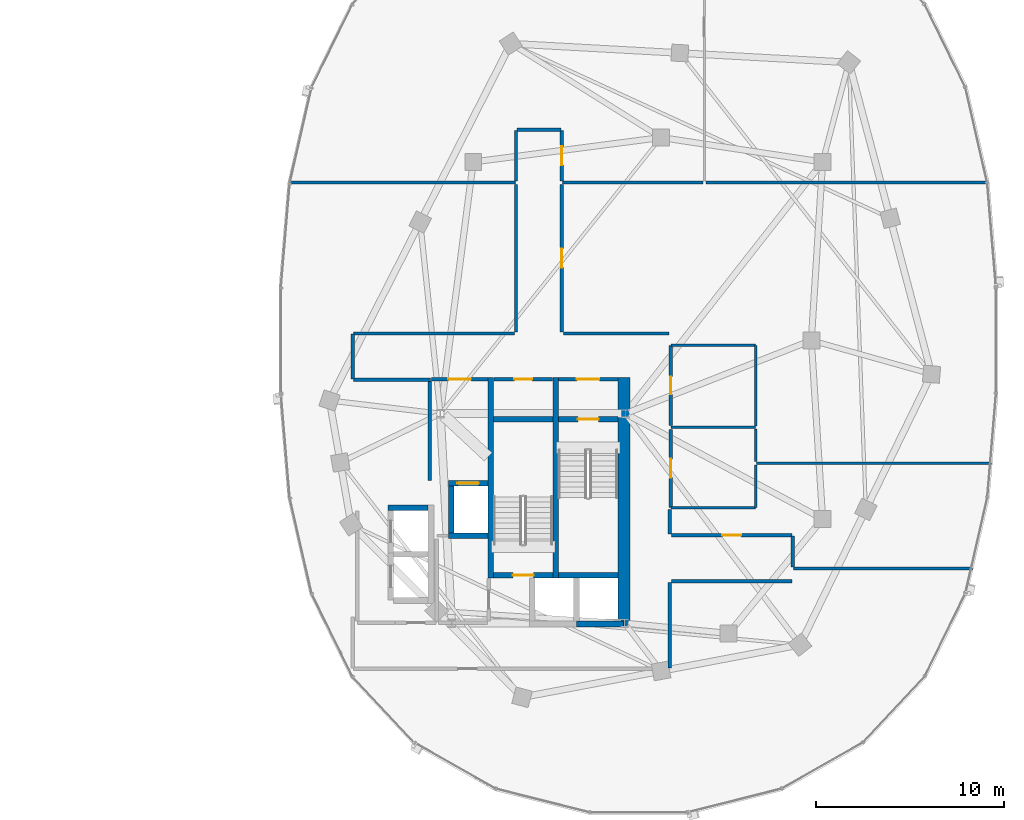
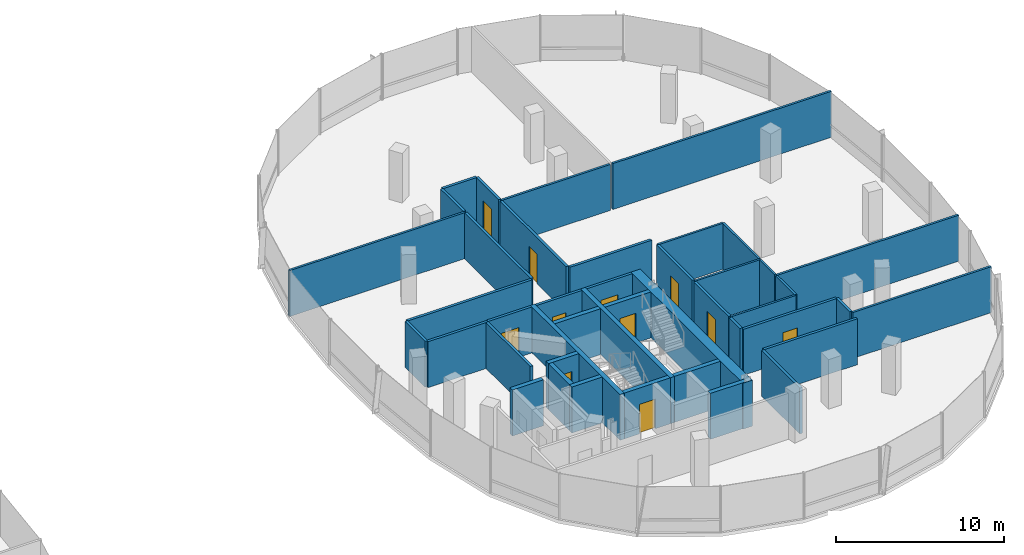
# One storey, part 17 of 25: 43 walls, 11 doors, 11 openings.
"""IFC4 building model written with IfcOpenShell, lengths in metres."""

from ifc_helpers import new_model, si_unit, direction, frame, frame_2d, origin, place, context, subcontext, project, spatial, rectangle, extrude, material, layer, layer_set, type_object, element, fill, save


model = new_model("IFC4")

# Units and contexts
model_context = context("Model", 3, precision=1e-05, world=origin(), true_north=direction((0.0, 1.0)))
body_context = subcontext(model_context, "Body", "Model", "MODEL_VIEW")
ifc_project = project(units=[si_unit("LENGTHUNIT", "METRE"), si_unit("AREAUNIT", "SQUARE_METRE"), si_unit("VOLUMEUNIT", "CUBIC_METRE"), si_unit("PLANEANGLEUNIT", "RADIAN"), si_unit("MASSUNIT", "GRAM", prefix="KILO"), si_unit("THERMODYNAMICTEMPERATUREUNIT", "KELVIN"), si_unit("POWERUNIT", "WATT")], contexts=[model_context])

# Site, building, storey
site_placement = place(None, origin())
site = spatial("IfcSite", under=ifc_project, at=site_placement, CompositionType="ELEMENT")
building_placement = place(site_placement, origin())
building = spatial("IfcBuilding", under=site, at=building_placement, Name="Cundina Bronze Exchange", CompositionType="ELEMENT")
storey_placement = place(building_placement, frame((0.0, 0.0, 206.199951171875)))
storey = spatial("IfcBuildingStorey", under=building, at=storey_placement, Name="L54", CompositionType="ELEMENT", Elevation=206.199951171875)

# Wall
ifc_material_1 = material(Name="Gypsum Fireboard Partition EI120")
ifc_layer_1 = layer(ifc_material_1, 0.179931640625, Name="Gypsum Fireboard Partition EI120")
ifc_layer_set_1 = layer_set([ifc_layer_1], Name="Gypsum Fireboard Partition EI120")
wall_type_1 = type_object("IfcWallType", Name="WL-COR-180", PredefinedType="PARTITIONING", material=ifc_layer_set_1)
wall_1_placement = place(storey_placement, frame((20.889892578125, -7.449951171875, 0.0), z_axis=(0.0, 0.0, 1.0), x_axis=(0.0, 1.0, 0.0)))
element("IfcWall", 1, at=wall_1_placement, inside=storey, type_object=wall_type_1, Name="L54 E Firefighting Lobby Side Wall", PredefinedType="PARTITIONING", context=body_context, shape_type="SweptSolid", body=[
    extrude(rectangle(XDim=5.300048828125, YDim=0.179931640625, at=frame_2d((2.64990234375, 0.0))), origin(), (0.0, 0.0, 1.0), 3.340087890625),
])

# Wall, opening, door
wall_2_placement = place(storey_placement, frame((20.97998046875, -2.06005859375, 0.0), z_axis=(0.0, 0.0, 1.0), x_axis=(1.0, 0.0, 0.0)))
wall_2 = element("IfcWall", 2, at=wall_2_placement, inside=storey, type_object=wall_type_1, Name="L54 E Firefighting Lobby Exit Wall", PredefinedType="PARTITIONING", context=body_context, shape_type="SweptSolid", body=[
    extrude(rectangle(XDim=3.0, YDim=0.179931640625, at=frame_2d((1.5, 0.0))), origin(), (0.0, 0.0, 1.0), 3.340087890625),
])
opening_1_placement = place(wall_2_placement, frame((0.89990234375, 0.0, 0.0)))
opening_1 = element("IfcOpeningElement", 3, at=opening_1_placement, cuts=wall_2, Name="Opening DF-01", PredefinedType="OPENING", context=body_context, shape_type="SweptSolid", body=[
    extrude(rectangle(XDim=1.199951171875, YDim=2.14990234375, at=frame_2d((0.60009765625, 1.074951171875))), frame((0.0, 0.099853515625, 0.0), z_axis=(0.0, -1.0, 0.0), x_axis=(1.0, 0.0, 0.0)), (0.0, 0.0, 1.0), 0.199951171875),
])
ifc_material_2 = material(Name="Steel ASTM A36 Painted", Category="steel")
door_type_1 = type_object("IfcDoorType", Name="DR-FFL-1200", OperationType="NOTDEFINED", PredefinedType="DOOR", material=ifc_material_2)
door_1_placement = place(opening_1_placement, origin())
door_1 = element("IfcDoor", 4, at=door_1_placement, inside=storey, type_object=door_type_1, Name="L54 E Firefighting Lobby Door", OperationType="SINGLE_SWING_LEFT", OverallHeight=2.14990234375, OverallWidth=1.199951171875, PredefinedType="DOOR", context=body_context, shape_type="SweptSolid", body=[
    extrude(rectangle(XDim=1.199951171875, YDim=2.14990234375, at=frame_2d((0.60009765625, 1.074951171875))), frame((0.0, 0.02490234375, 0.0), z_axis=(0.0, -1.0, 0.0), x_axis=(1.0, 0.0, 0.0)), (0.0, 0.0, 1.0), 0.050048828125),
])
fill(opening_1, door_1)

wall_3_placement = place(storey_placement, frame((27.739990234375, -2.06005859375, 0.0), z_axis=(0.0, 0.0, 1.0), x_axis=(1.0, 0.0, 0.0)))
wall_3 = element("IfcWall", 5, at=wall_3_placement, inside=storey, type_object=wall_type_1, Name="L54 E Stair Vestibule Exit Wall", PredefinedType="PARTITIONING", context=body_context, shape_type="SweptSolid", body=[
    extrude(rectangle(XDim=3.159912109375, YDim=0.179931640625, at=frame_2d((1.580078125, 0.0))), origin(), (0.0, 0.0, 1.0), 3.340087890625),
])
opening_2_placement = place(wall_3_placement, frame((0.97998046875, 0.0, 0.0)))
opening_2 = element("IfcOpeningElement", 6, at=opening_2_placement, cuts=wall_3, Name="Opening DF-01", PredefinedType="OPENING", context=body_context, shape_type="SweptSolid", body=[
    extrude(rectangle(XDim=1.199951171875, YDim=2.14990234375, at=frame_2d((0.60009765625, 1.074951171875))), frame((0.0, 0.099853515625, 0.0), z_axis=(0.0, -1.0, 0.0), x_axis=(1.0, 0.0, 0.0)), (0.0, 0.0, 1.0), 0.199951171875),
])
door_2_placement = place(opening_2_placement, origin())
door_2 = element("IfcDoor", 7, at=door_2_placement, inside=storey, type_object=door_type_1, Name="L54 E Stair Vestibule Door", OperationType="SINGLE_SWING_RIGHT", OverallHeight=2.14990234375, OverallWidth=1.199951171875, PredefinedType="DOOR", context=body_context, shape_type="SweptSolid", body=[
    extrude(rectangle(XDim=1.199951171875, YDim=2.14990234375, at=frame_2d((0.60009765625, 1.074951171875))), frame((0.0, 0.02490234375, 0.0), z_axis=(0.0, -1.0, 0.0), x_axis=(1.0, 0.0, 0.0)), (0.0, 0.0, 1.0), 0.050048828125),
])
fill(opening_2, door_2)

wall_4_placement = place(storey_placement, frame((24.300048828125, -2.070068359375, 0.0), z_axis=(0.0, 0.0, 1.0), x_axis=(1.0, 0.0, 0.0)))
wall_4 = element("IfcWall", 8, at=wall_4_placement, inside=storey, type_object=wall_type_1, Name="L54 Interior Partition 049", PredefinedType="PARTITIONING", context=body_context, shape_type="SweptSolid", body=[
    extrude(rectangle(XDim=3.119873046875, YDim=0.179931640625, at=frame_2d((1.56005859375, 0.0))), origin(), (0.0, 0.0, 1.0), 3.340087890625),
])
opening_3_placement = place(wall_4_placement, frame((1.0849609375, 0.0, 0.0)))
opening_3 = element("IfcOpeningElement", 9, at=opening_3_placement, cuts=wall_4, Name="Opening DW-01", PredefinedType="OPENING", context=body_context, shape_type="SweptSolid", body=[
    extrude(rectangle(XDim=0.949951171875, YDim=2.10009765625, at=frame_2d((0.47509765625, 1.050048828125))), frame((0.0, 0.099853515625, 0.0), z_axis=(0.0, -1.0, 0.0), x_axis=(1.0, 0.0, 0.0)), (0.0, 0.0, 1.0), 0.199951171875),
])
ifc_material_3 = material(Name="Solid Andean Oak Timber Grade A", Category="wood")
door_type_2 = type_object("IfcDoorType", Name="DR-WC-950", OperationType="NOTDEFINED", PredefinedType="DOOR", material=ifc_material_3)
door_3_placement = place(opening_3_placement, origin())
door_3 = element("IfcDoor", 10, at=door_3_placement, inside=storey, type_object=door_type_2, Name="L54 Interior Door 049", OperationType="SINGLE_SWING_RIGHT", OverallHeight=2.10009765625, OverallWidth=0.949951171875, PredefinedType="DOOR", context=body_context, shape_type="SweptSolid", body=[
    extrude(rectangle(XDim=0.949951171875, YDim=2.10009765625, at=frame_2d((0.47509765625, 1.050048828125))), frame((0.0, 0.02490234375, 0.0), z_axis=(0.0, -1.0, 0.0), x_axis=(1.0, 0.0, 0.0)), (0.0, 0.0, 1.0), 0.050048828125),
])
fill(opening_3, door_3)

wall_5_placement = place(storey_placement, frame((33.719970703125, -4.530029296875, 0.0), z_axis=(0.0, 0.0, 1.0), x_axis=(0.0, 1.0, 0.0)))
wall_5 = element("IfcWall", 11, at=wall_5_placement, inside=storey, type_object=wall_type_1, Name="L54 Interior Partition 057", PredefinedType="PARTITIONING", context=body_context, shape_type="SweptSolid", body=[
    extrude(rectangle(XDim=4.260009765625, YDim=0.179931640625, at=frame_2d((2.1298828125, 0.0))), origin(), (0.0, 0.0, 1.0), 3.340087890625),
])
opening_4_placement = place(wall_5_placement, frame((1.655029296875, 0.0, 0.0)))
opening_4 = element("IfcOpeningElement", 12, at=opening_4_placement, cuts=wall_5, Name="Opening DW-01", PredefinedType="OPENING", context=body_context, shape_type="SweptSolid", body=[
    extrude(rectangle(XDim=0.949951171875, YDim=2.10009765625, at=frame_2d((0.47509765625, 1.050048828125))), frame((0.0, 0.099853515625, 0.0), z_axis=(0.0, -1.0, 0.0), x_axis=(1.0, 0.0, 0.0)), (0.0, 0.0, 1.0), 0.199951171875),
])
door_4_placement = place(opening_4_placement, origin())
door_4 = element("IfcDoor", 13, at=door_4_placement, inside=storey, type_object=door_type_2, Name="L54 Interior Door 057", OperationType="SINGLE_SWING_RIGHT", OverallHeight=2.10009765625, OverallWidth=0.949951171875, PredefinedType="DOOR", context=body_context, shape_type="SweptSolid", body=[
    extrude(rectangle(XDim=0.949951171875, YDim=2.10009765625, at=frame_2d((0.47509765625, 1.050048828125))), frame((0.0, 0.02490234375, 0.0), z_axis=(0.0, -1.0, 0.0), x_axis=(1.0, 0.0, 0.0)), (0.0, 0.0, 1.0), 0.050048828125),
])
fill(opening_4, door_4)

wall_6_placement = place(storey_placement, frame((33.719970703125, -8.889892578125, 0.0), z_axis=(0.0, 0.0, 1.0), x_axis=(0.0, 1.0, 0.0)))
wall_6 = element("IfcWall", 14, at=wall_6_placement, inside=storey, type_object=wall_type_1, Name="L54 Interior Partition 058", PredefinedType="PARTITIONING", context=body_context, shape_type="SweptSolid", body=[
    extrude(rectangle(XDim=4.159912109375, YDim=0.179931640625, at=frame_2d((2.080078125, 0.0))), origin(), (0.0, 0.0, 1.0), 3.340087890625),
])
opening_5_placement = place(wall_6_placement, frame((1.580078125, 0.0, 0.0)))
opening_5 = element("IfcOpeningElement", 15, at=opening_5_placement, cuts=wall_6, Name="Opening DO-01", PredefinedType="OPENING", context=body_context, shape_type="SweptSolid", body=[
    extrude(rectangle(XDim=1.0, YDim=2.14990234375, at=frame_2d((0.5, 1.074951171875))), frame((0.0, 0.099853515625, 0.0), z_axis=(0.0, -1.0, 0.0), x_axis=(1.0, 0.0, 0.0)), (0.0, 0.0, 1.0), 0.199951171875),
])
door_type_3 = type_object("IfcDoorType", Name="DR-OFF-1000", OperationType="NOTDEFINED", PredefinedType="DOOR", material=ifc_material_3)
door_5_placement = place(opening_5_placement, origin())
door_5 = element("IfcDoor", 16, at=door_5_placement, inside=storey, type_object=door_type_3, Name="L54 Interior Door 058", OperationType="SINGLE_SWING_RIGHT", OverallHeight=2.14990234375, OverallWidth=1.0, PredefinedType="DOOR", context=body_context, shape_type="SweptSolid", body=[
    extrude(rectangle(XDim=1.0, YDim=2.14990234375, at=frame_2d((0.5, 1.074951171875))), frame((0.0, 0.02490234375, 0.0), z_axis=(0.0, -1.0, 0.0), x_axis=(1.0, 0.0, 0.0)), (0.0, 0.0, 1.0), 0.050048828125),
])
fill(opening_5, door_5)

# Walls
wall_7_placement = place(storey_placement, frame((25.39990234375, 0.3701171875, 0.0), z_axis=(0.0, 0.0, 1.0), x_axis=(-1.0, 0.0, 0.0)))
element("IfcWall", 17, at=wall_7_placement, inside=storey, type_object=wall_type_1, Name="L54 Interior Partition 065", PredefinedType="PARTITIONING", context=body_context, shape_type="SweptSolid", body=[
    extrude(rectangle(XDim=8.578369140625, YDim=0.179931640625, at=frame_2d((4.2890625, 0.0))), origin(), (0.0, 0.0, 1.0), 3.340087890625),
])
wall_8_placement = place(storey_placement, frame((25.47998046875, 8.31005859375, 0.0), z_axis=(0.0, 0.0, 1.0), x_axis=(0.0, -1.0, 0.0)))
element("IfcWall", 18, at=wall_8_placement, inside=storey, type_object=wall_type_1, Name="L54 Interior Partition 066", PredefinedType="PARTITIONING", context=body_context, shape_type="SweptSolid", body=[
    extrude(rectangle(XDim=7.860107421875, YDim=0.179931640625, at=frame_2d((3.93017578125, 0.0))), origin(), (0.0, 0.0, 1.0), 3.340087890625),
])
wall_9_placement = place(storey_placement, frame((33.75, -12.820068359375, 0.0), z_axis=(0.0, 0.0, 1.0), x_axis=(1.0, 0.0, 0.0)))
element("IfcWall", 19, at=wall_9_placement, inside=storey, type_object=wall_type_1, Name="L54 Interior Partition 067", PredefinedType="PARTITIONING", context=body_context, shape_type="SweptSolid", body=[
    extrude(rectangle(XDim=6.428466796875, YDim=0.179931640625, at=frame_2d((3.21435546875, 0.0))), origin(), (0.0, 0.0, 1.0), 3.340087890625),
])
wall_10_placement = place(storey_placement, frame((33.669921875, -17.428466796875, 0.0), z_axis=(0.0, 0.0, 1.0), x_axis=(0.0, 1.0, 0.0)))
element("IfcWall", 20, at=wall_10_placement, inside=storey, type_object=wall_type_1, Name="L54 Interior Partition 068", PredefinedType="PARTITIONING", context=body_context, shape_type="SweptSolid", body=[
    extrude(rectangle(XDim=4.528564453125, YDim=0.179931640625, at=frame_2d((2.26416015625, 0.0))), origin(), (0.0, 0.0, 1.0), 3.340087890625),
])
wall_11_placement = place(storey_placement, frame((16.821533203125, -2.10009765625, 0.0), z_axis=(0.0, 0.0, 1.0), x_axis=(1.0, 0.0, 0.0)))
element("IfcWall", 21, at=wall_11_placement, inside=storey, type_object=wall_type_1, Name="L54 Interior Partition 069", PredefinedType="PARTITIONING", context=body_context, shape_type="SweptSolid", body=[
    extrude(rectangle(XDim=4.098388671875, YDim=0.179931640625, at=frame_2d((2.04931640625, 0.0))), origin(), (0.0, 0.0, 1.0), 3.340087890625),
])
wall_12_placement = place(storey_placement, frame((16.780029296875, 0.32861328125, 0.0), z_axis=(0.0, 0.0, 1.0), x_axis=(0.0, -1.0, 0.0)))
element("IfcWall", 22, at=wall_12_placement, inside=storey, type_object=wall_type_1, Name="L54 Interior Partition 071", PredefinedType="PARTITIONING", context=body_context, shape_type="SweptSolid", body=[
    extrude(rectangle(XDim=2.38720703125, YDim=0.179931640625, at=frame_2d((1.193603515625, 0.0))), origin(), (0.0, 0.0, 1.0), 3.340087890625),
])

# Wall, opening, door
wall_13_placement = place(storey_placement, frame((40.178466796875, -10.3798828125, 0.0), z_axis=(0.0, 0.0, 1.0), x_axis=(-1.0, 0.0, 0.0)))
wall_13 = element("IfcWall", 23, at=wall_13_placement, inside=storey, type_object=wall_type_1, Name="L54 Interior Partition 072", PredefinedType="PARTITIONING", context=body_context, shape_type="SweptSolid", body=[
    extrude(rectangle(XDim=6.428466796875, YDim=0.179931640625, at=frame_2d((3.21435546875, 0.0))), origin(), (0.0, 0.0, 1.0), 3.340087890625),
])
opening_6_placement = place(wall_13_placement, frame((2.714111328125, 0.0, 0.0)))
opening_6 = element("IfcOpeningElement", 24, at=opening_6_placement, cuts=wall_13, Name="Opening DO-01", PredefinedType="OPENING", context=body_context, shape_type="SweptSolid", body=[
    extrude(rectangle(XDim=1.0, YDim=2.14990234375, at=frame_2d((0.5, 1.074951171875))), frame((0.0, 0.099853515625, 0.0), z_axis=(0.0, -1.0, 0.0), x_axis=(1.0, 0.0, 0.0)), (0.0, 0.0, 1.0), 0.199951171875),
])
door_6_placement = place(opening_6_placement, origin())
door_6 = element("IfcDoor", 25, at=door_6_placement, inside=storey, type_object=door_type_3, Name="L54 Interior Door 072", OperationType="SINGLE_SWING_RIGHT", OverallHeight=2.14990234375, OverallWidth=1.0, PredefinedType="DOOR", context=body_context, shape_type="SweptSolid", body=[
    extrude(rectangle(XDim=1.0, YDim=2.14990234375, at=frame_2d((0.5, 1.074951171875))), frame((0.0, 0.02490234375, 0.0), z_axis=(0.0, -1.0, 0.0), x_axis=(1.0, 0.0, 0.0)), (0.0, 0.0, 1.0), 0.050048828125),
])
fill(opening_6, door_6)

# Walls
wall_14_placement = place(storey_placement, frame((40.219970703125, -12.050048828125, 0.0), z_axis=(0.0, 0.0, 1.0), x_axis=(0.0, 1.0, 0.0)))
element("IfcWall", 26, at=wall_14_placement, inside=storey, type_object=wall_type_1, Name="L54 Interior Partition 073", PredefinedType="PARTITIONING", context=body_context, shape_type="SweptSolid", body=[
    extrude(rectangle(XDim=1.628662109375, YDim=0.179931640625, at=frame_2d((0.814453125, 0.0))), origin(), (0.0, 0.0, 1.0), 3.340087890625),
])
wall_15_placement = place(storey_placement, frame((33.669921875, -10.300048828125, 0.0), z_axis=(0.0, 0.0, 1.0), x_axis=(0.0, 1.0, 0.0)))
element("IfcWall", 27, at=wall_15_placement, inside=storey, type_object=wall_type_1, Name="L54 Interior Partition 074", PredefinedType="PARTITIONING", context=body_context, shape_type="SweptSolid", body=[
    extrude(rectangle(XDim=1.298583984375, YDim=0.179931640625, at=frame_2d((0.6494140625, 0.0))), origin(), (0.0, 0.0, 1.0), 3.340087890625),
])

# Wall, opening, door
wall_16_placement = place(storey_placement, frame((27.919921875, 0.449951171875, 0.0), z_axis=(0.0, 0.0, 1.0), x_axis=(0.0, 1.0, 0.0)))
wall_16 = element("IfcWall", 28, at=wall_16_placement, inside=storey, type_object=wall_type_1, Name="L54 Interior Partition 075", PredefinedType="PARTITIONING", context=body_context, shape_type="SweptSolid", body=[
    extrude(rectangle(XDim=7.860107421875, YDim=0.179931640625, at=frame_2d((3.93017578125, 0.0))), origin(), (0.0, 0.0, 1.0), 3.340087890625),
])
opening_7_placement = place(wall_16_placement, frame((3.429931640625, 0.0, 0.0)))
opening_7 = element("IfcOpeningElement", 29, at=opening_7_placement, cuts=wall_16, Name="Opening DO-01", PredefinedType="OPENING", context=body_context, shape_type="SweptSolid", body=[
    extrude(rectangle(XDim=1.0, YDim=2.14990234375, at=frame_2d((0.5, 1.074951171875))), frame((0.0, 0.099853515625, 0.0), z_axis=(0.0, -1.0, 0.0), x_axis=(1.0, 0.0, 0.0)), (0.0, 0.0, 1.0), 0.199951171875),
])
door_7_placement = place(opening_7_placement, origin())
door_7 = element("IfcDoor", 30, at=door_7_placement, inside=storey, type_object=door_type_3, Name="L54 Interior Door 075", OperationType="SINGLE_SWING_LEFT", OverallHeight=2.14990234375, OverallWidth=1.0, PredefinedType="DOOR", context=body_context, shape_type="SweptSolid", body=[
    extrude(rectangle(XDim=1.0, YDim=2.14990234375, at=frame_2d((0.5, 1.074951171875))), frame((0.0, 0.02490234375, 0.0), z_axis=(0.0, -1.0, 0.0), x_axis=(1.0, 0.0, 0.0)), (0.0, 0.0, 1.0), 0.050048828125),
])
fill(opening_7, door_7)

# Wall
wall_17_placement = place(storey_placement, frame((33.62841796875, 0.3701171875, 0.0), z_axis=(0.0, 0.0, 1.0), x_axis=(-1.0, 0.0, 0.0)))
element("IfcWall", 31, at=wall_17_placement, inside=storey, type_object=wall_type_1, Name="L54 Interior Partition 076", PredefinedType="PARTITIONING", context=body_context, shape_type="SweptSolid", body=[
    extrude(rectangle(XDim=5.62841796875, YDim=0.179931640625, at=frame_2d((2.814208984375, 0.0))), origin(), (0.0, 0.0, 1.0), 3.340087890625),
])

# Wall, opening, door
wall_18_placement = place(storey_placement, frame((27.919921875, 8.489990234375, 0.0), z_axis=(0.0, 0.0, 1.0), x_axis=(0.0, 1.0, 0.0)))
wall_18 = element("IfcWall", 32, at=wall_18_placement, inside=storey, type_object=wall_type_1, Name="L54 Interior Partition 077", PredefinedType="PARTITIONING", context=body_context, shape_type="SweptSolid", body=[
    extrude(rectangle(XDim=2.6884765625, YDim=0.179931640625, at=frame_2d((1.34423828125, 0.0))), origin(), (0.0, 0.0, 1.0), 3.340087890625),
])
opening_8_placement = place(wall_18_placement, frame((0.84423828125, 0.0, 0.0)))
opening_8 = element("IfcOpeningElement", 33, at=opening_8_placement, cuts=wall_18, Name="Opening DO-01", PredefinedType="OPENING", context=body_context, shape_type="SweptSolid", body=[
    extrude(rectangle(XDim=1.0, YDim=2.14990234375, at=frame_2d((0.5, 1.074951171875))), frame((0.0, 0.099853515625, 0.0), z_axis=(0.0, -1.0, 0.0), x_axis=(1.0, 0.0, 0.0)), (0.0, 0.0, 1.0), 0.199951171875),
])
door_8_placement = place(opening_8_placement, origin())
door_8 = element("IfcDoor", 34, at=door_8_placement, inside=storey, type_object=door_type_3, Name="L54 Interior Door 077", OperationType="SINGLE_SWING_RIGHT", OverallHeight=2.14990234375, OverallWidth=1.0, PredefinedType="DOOR", context=body_context, shape_type="SweptSolid", body=[
    extrude(rectangle(XDim=1.0, YDim=2.14990234375, at=frame_2d((0.5, 1.074951171875))), frame((0.0, 0.02490234375, 0.0), z_axis=(0.0, -1.0, 0.0), x_axis=(1.0, 0.0, 0.0)), (0.0, 0.0, 1.0), 0.050048828125),
])
fill(opening_8, door_8)

# Walls
wall_19_placement = place(storey_placement, frame((25.47998046875, 11.178466796875, 0.0), z_axis=(0.0, 0.0, 1.0), x_axis=(0.0, -1.0, 0.0)))
element("IfcWall", 35, at=wall_19_placement, inside=storey, type_object=wall_type_1, Name="L54 Interior Partition 078", PredefinedType="PARTITIONING", context=body_context, shape_type="SweptSolid", body=[
    extrude(rectangle(XDim=2.6884765625, YDim=0.179931640625, at=frame_2d((1.34423828125, 0.0))), origin(), (0.0, 0.0, 1.0), 3.340087890625),
])
wall_20_placement = place(storey_placement, frame((27.87841796875, 11.219970703125, 0.0), z_axis=(0.0, 0.0, 1.0), x_axis=(-1.0, 0.0, 0.0)))
element("IfcWall", 36, at=wall_20_placement, inside=storey, type_object=wall_type_1, Name="L54 Interior Partition 079", PredefinedType="PARTITIONING", context=body_context, shape_type="SweptSolid", body=[
    extrude(rectangle(XDim=2.35693359375, YDim=0.179931640625, at=frame_2d((1.178466796875, 0.0))), origin(), (0.0, 0.0, 1.0), 3.340087890625),
])
ifc_material_4 = material(Name="Concrete C50/60", Category="concrete")
ifc_layer_2 = layer(ifc_material_4, 0.64990234375, Name="Concrete C50/60", Category="concrete")
ifc_layer_set_2 = layer_set([ifc_layer_2], Name="Concrete C50/60")
wall_type_2 = type_object("IfcWallType", Name="WL-CORE-650", PredefinedType="SHEAR", material=ifc_layer_set_2)
wall_21_placement = place(storey_placement, frame((31.22509765625, -15.300048828125, 0.0), z_axis=(0.0, 0.0, 1.0), x_axis=(0.0, 1.0, 0.0)))
element("IfcWall", 37, at=wall_21_placement, inside=storey, type_object=wall_type_2, Name="L54 E Primary Core Shear Spine Wall", PredefinedType="SHEAR", context=body_context, shape_type="SweptSolid", body=[
    extrude(rectangle(XDim=13.330078125, YDim=0.64990234375, at=frame_2d((6.6650390625, 0.0))), origin(), (0.0, 0.0, 1.0), 3.340087890625),
])
ifc_layer_3 = layer(ifc_material_4, 0.300048828125, Name="Concrete C50/60", Category="concrete")
ifc_layer_set_3 = layer_set([ifc_layer_3], Name="Concrete C50/60")
wall_type_3 = type_object("IfcWallType", Name="WL-SHFT-300", PredefinedType="SHEAR", material=ifc_layer_set_3)
for number, where, z_axis, x_axis, name in (
    (38, (27.590087890625, -12.64990234375, 0.0), (0.0, 0.0, 1.0), (0.0, 1.0, 0.0), "L54 E Stair Shaft Dividing Shear Wall"),
    (39, (24.1298828125, -12.64990234375, 0.0), (0.0, 0.0, 1.0), (0.0, 1.0, 0.0), "L54 E Stair 2 East Shear Wall"),
):
    element("IfcWall", number, at=place(storey_placement, frame(where, z_axis=z_axis, x_axis=x_axis)), inside=storey, type_object=wall_type_3, Name=name, PredefinedType="SHEAR", context=body_context, shape_type="SweptSolid", body=[
        extrude(rectangle(XDim=10.679931640625, YDim=0.300048828125, at=frame_2d((5.33984375, 0.0))), origin(), (0.0, 0.0, 1.0), 3.340087890625),
    ])

# Wall, opening, door
wall_22_placement = place(storey_placement, frame((27.739990234375, -4.199951171875, 0.0), z_axis=(0.0, 0.0, 1.0), x_axis=(1.0, 0.0, 0.0)))
wall_22 = element("IfcWall", 40, at=wall_22_placement, inside=storey, type_object=wall_type_3, Name="L54 Stair E1 Landing Wall", PredefinedType="SHEAR", context=body_context, shape_type="SweptSolid", body=[
    extrude(rectangle(XDim=3.159912109375, YDim=0.300048828125, at=frame_2d((1.580078125, 0.0))), origin(), (0.0, 0.0, 1.0), 3.340087890625),
])
opening_9_placement = place(wall_22_placement, frame((1.030029296875, 0.0, 0.0)))
opening_9 = element("IfcOpeningElement", 41, at=opening_9_placement, cuts=wall_22, Name="Opening DS-01", PredefinedType="OPENING", context=body_context, shape_type="SweptSolid", body=[
    extrude(rectangle(XDim=1.10009765625, YDim=2.14990234375, at=frame_2d((0.550048828125, 1.074951171875))), frame((0.0, 0.159912109375, 0.0), z_axis=(0.0, -1.0, 0.0), x_axis=(1.0, 0.0, 0.0)), (0.0, 0.0, 1.0), 0.320068359375),
])
door_type_4 = type_object("IfcDoorType", Name="DR-STR-1100", OperationType="NOTDEFINED", PredefinedType="DOOR", material=ifc_material_2)
door_9_placement = place(opening_9_placement, origin())
door_9 = element("IfcDoor", 42, at=door_9_placement, inside=storey, type_object=door_type_4, Name="L54 Smokeproof Stair E1 Door", OperationType="SINGLE_SWING_LEFT", OverallHeight=2.14990234375, OverallWidth=1.10009765625, PredefinedType="DOOR", context=body_context, shape_type="SweptSolid", body=[
    extrude(rectangle(XDim=1.10009765625, YDim=2.14990234375, at=frame_2d((0.550048828125, 1.074951171875))), frame((0.0, 0.02490234375, 0.0), z_axis=(0.0, -1.0, 0.0), x_axis=(1.0, 0.0, 0.0)), (0.0, 0.0, 1.0), 0.050048828125),
])
fill(opening_9, door_9)

# Wall
wall_23_placement = place(storey_placement, frame((27.739990234375, -12.5, 0.0), z_axis=(0.0, 0.0, 1.0), x_axis=(1.0, 0.0, 0.0)))
element("IfcWall", 43, at=wall_23_placement, inside=storey, type_object=wall_type_3, Name="L54 Stair E1 Far Shaft Wall", PredefinedType="SHEAR", context=body_context, shape_type="SweptSolid", body=[
    extrude(rectangle(XDim=3.159912109375, YDim=0.300048828125, at=frame_2d((1.580078125, 0.0))), origin(), (0.0, 0.0, 1.0), 3.340087890625),
])

# Wall, opening, door
wall_24_placement = place(storey_placement, frame((24.280029296875, -12.5, 0.0), z_axis=(0.0, 0.0, 1.0), x_axis=(1.0, 0.0, 0.0)))
wall_24 = element("IfcWall", 44, at=wall_24_placement, inside=storey, type_object=wall_type_3, Name="L54 Stair E2 Landing Wall", PredefinedType="SHEAR", context=body_context, shape_type="SweptSolid", body=[
    extrude(rectangle(XDim=3.159912109375, YDim=0.300048828125, at=frame_2d((1.580078125, 0.0))), origin(), (0.0, 0.0, 1.0), 3.340087890625),
])
opening_10_placement = place(wall_24_placement, frame((1.030029296875, 0.0, 0.0)))
opening_10 = element("IfcOpeningElement", 45, at=opening_10_placement, cuts=wall_24, Name="Opening DS-01", PredefinedType="OPENING", context=body_context, shape_type="SweptSolid", body=[
    extrude(rectangle(XDim=1.10009765625, YDim=2.14990234375, at=frame_2d((0.550048828125, 1.074951171875))), frame((0.0, 0.159912109375, 0.0), z_axis=(0.0, -1.0, 0.0), x_axis=(1.0, 0.0, 0.0)), (0.0, 0.0, 1.0), 0.320068359375),
])
door_10_placement = place(opening_10_placement, origin())
door_10 = element("IfcDoor", 46, at=door_10_placement, inside=storey, type_object=door_type_4, Name="L54 Smokeproof Stair E2 Door", OperationType="SINGLE_SWING_RIGHT", OverallHeight=2.14990234375, OverallWidth=1.10009765625, PredefinedType="DOOR", context=body_context, shape_type="SweptSolid", body=[
    extrude(rectangle(XDim=1.10009765625, YDim=2.14990234375, at=frame_2d((0.550048828125, 1.074951171875))), frame((0.0, 0.02490234375, 0.0), z_axis=(0.0, -1.0, 0.0), x_axis=(1.0, 0.0, 0.0)), (0.0, 0.0, 1.0), 0.050048828125),
])
fill(opening_10, door_10)

# Wall
wall_25_placement = place(storey_placement, frame((24.280029296875, -4.199951171875, 0.0), z_axis=(0.0, 0.0, 1.0), x_axis=(1.0, 0.0, 0.0)))
element("IfcWall", 47, at=wall_25_placement, inside=storey, type_object=wall_type_3, Name="L54 Stair E2 Far Shaft Wall", PredefinedType="SHEAR", context=body_context, shape_type="SweptSolid", body=[
    extrude(rectangle(XDim=3.159912109375, YDim=0.300048828125, at=frame_2d((1.580078125, 0.0))), origin(), (0.0, 0.0, 1.0), 3.340087890625),
])

# Wall, opening, door
wall_26_placement = place(storey_placement, frame((21.8798828125, -7.60009765625, 0.0), z_axis=(0.0, 0.0, 1.0), x_axis=(1.0, 0.0, 0.0)))
wall_26 = element("IfcWall", 48, at=wall_26_placement, inside=storey, type_object=wall_type_3, Name="L54 FFL-E Hoistway Front Wall", PredefinedType="SHEAR", context=body_context, shape_type="SweptSolid", body=[
    extrude(rectangle(XDim=2.10009765625, YDim=0.300048828125, at=frame_2d((1.050048828125, 0.0))), origin(), (0.0, 0.0, 1.0), 3.340087890625),
])
opening_11_placement = place(wall_26_placement, frame((0.47509765625, 0.0, 0.0)))
opening_11 = element("IfcOpeningElement", 49, at=opening_11_placement, cuts=wall_26, Name="Opening LD-01", PredefinedType="OPENING", context=body_context, shape_type="SweptSolid", body=[
    extrude(rectangle(XDim=1.14990234375, YDim=2.199951171875, at=frame_2d((0.574951171875, 1.10009765625))), frame((0.0, 0.159912109375, 0.0), z_axis=(0.0, -1.0, 0.0), x_axis=(1.0, 0.0, 0.0)), (0.0, 0.0, 1.0), 0.320068359375),
])
door_type_5 = type_object("IfcDoorType", Name="DR-LND-1150", OperationType="NOTDEFINED", PredefinedType="TRAPDOOR", material=ifc_material_2)
door_11_placement = place(opening_11_placement, origin())
door_11 = element("IfcDoor", 50, at=door_11_placement, inside=storey, type_object=door_type_5, Name="L54 FFL-E Sliding Landing Door", OperationType="SLIDING_TO_LEFT", OverallHeight=2.199951171875, OverallWidth=1.14990234375, PredefinedType="TRAPDOOR", context=body_context, shape_type="SweptSolid", body=[
    extrude(rectangle(XDim=1.14990234375, YDim=2.199951171875, at=frame_2d((0.574951171875, 1.10009765625))), frame((0.0, 0.02490234375, 0.0), z_axis=(0.0, -1.0, 0.0), x_axis=(1.0, 0.0, 0.0)), (0.0, 0.0, 1.0), 0.050048828125),
])
fill(opening_11, door_11)

# Walls
wall_27_placement = place(storey_placement, frame((21.8798828125, -10.39990234375, 0.0), z_axis=(0.0, 0.0, 1.0), x_axis=(1.0, 0.0, 0.0)))
element("IfcWall", 51, at=wall_27_placement, inside=storey, type_object=wall_type_3, Name="L54 FFL-E Hoistway Back Wall", PredefinedType="SHEAR", context=body_context, shape_type="SweptSolid", body=[
    extrude(rectangle(XDim=2.10009765625, YDim=0.300048828125, at=frame_2d((1.050048828125, 0.0))), origin(), (0.0, 0.0, 1.0), 3.340087890625),
])
for number, where, z_axis, x_axis, name in (
    (52, (22.030029296875, -10.25, 0.0), (0.0, 0.0, 1.0), (0.0, 1.0, 0.0), "L54 FFL-E Hoistway Side Wall"),
    (53, (28.699951171875, -15.10009765625, 0.0), (0.0, 0.0, 1.0), (1.0, 0.0, 0.0), "L54 PH-E1 Hoistway Front Wall"),
):
    element("IfcWall", number, at=place(storey_placement, frame(where, z_axis=z_axis, x_axis=x_axis)), inside=storey, type_object=wall_type_3, Name=name, PredefinedType="SHEAR", context=body_context, shape_type="SweptSolid", body=[
        extrude(rectangle(XDim=2.5, YDim=0.300048828125, at=frame_2d((1.25, 0.0))), origin(), (0.0, 0.0, 1.0), 3.340087890625),
    ])
wall_28_placement = place(storey_placement, frame((18.64990234375, -8.89990234375, 0.0), z_axis=(0.0, 0.0, 1.0), x_axis=(1.0, 0.0, 0.0)))
element("IfcWall", 54, at=wall_28_placement, inside=storey, type_object=wall_type_3, Name="L54 E Passenger Bank North Cap Wall", PredefinedType="SHEAR", context=body_context, shape_type="SweptSolid", body=[
    extrude(rectangle(XDim=2.150146484375, YDim=0.300048828125, at=frame_2d((1.0751953125, 0.0))), origin(), (0.0, 0.0, 1.0), 3.340087890625),
])
ifc_material_5 = material(Name="Gypsum Acoustic Partition EI60")
ifc_layer_4 = layer(ifc_material_5, 0.14990234375, Name="Gypsum Acoustic Partition EI60")
ifc_layer_set_4 = layer_set([ifc_layer_4], Name="Gypsum Acoustic Partition EI60")
wall_type_4 = type_object("IfcWallType", Name="WL-TEN-150", PredefinedType="PARTITIONING", material=ifc_layer_set_4)
wall_29_placement = place(storey_placement, frame((13.370361328125, 8.39990234375, 0.0), z_axis=(0.0, 0.0, 1.0), x_axis=(1.0, 0.0, 0.0)))
element("IfcWall", 55, at=wall_29_placement, inside=storey, type_object=wall_type_4, Name="L54 Interior Partition 059", PredefinedType="PARTITIONING", context=body_context, shape_type="SweptSolid", body=[
    extrude(rectangle(XDim=12.07958984375, YDim=0.14990234375, at=frame_2d((6.039794921875, 0.0))), origin(), (0.0, 0.0, 1.0), 3.340087890625),
])
wall_30_placement = place(storey_placement, frame((27.949951171875, 8.39990234375, 0.0), z_axis=(0.0, 0.0, 1.0), x_axis=(1.0, 0.0, 0.0)))
element("IfcWall", 56, at=wall_30_placement, inside=storey, type_object=wall_type_4, Name="L54 Interior Partition 060", PredefinedType="PARTITIONING", context=body_context, shape_type="SweptSolid", body=[
    extrude(rectangle(XDim=7.47509765625, YDim=0.14990234375, at=frame_2d((3.737548828125, 0.0))), origin(), (0.0, 0.0, 1.0), 3.340087890625),
])
wall_31_placement = place(storey_placement, frame((35.594970703125, 8.39990234375, 0.0), z_axis=(0.0, 0.0, 1.0), x_axis=(1.0, 0.0, 0.0)))
element("IfcWall", 57, at=wall_31_placement, inside=storey, type_object=wall_type_4, Name="L54 Interior Partition 061", PredefinedType="PARTITIONING", context=body_context, shape_type="SweptSolid", body=[
    extrude(rectangle(XDim=15.03466796875, YDim=0.14990234375, at=frame_2d((7.517333984375, 0.0))), origin(), (0.0, 0.0, 1.0), 3.340087890625),
])
wall_32_placement = place(storey_placement, frame((38.27001953125, -6.5400390625, 0.0), z_axis=(0.0, 0.0, 1.0), x_axis=(1.0, 0.0, 0.0)))
element("IfcWall", 58, at=wall_32_placement, inside=storey, type_object=wall_type_4, Name="L54 Interior Partition 062", PredefinedType="PARTITIONING", context=body_context, shape_type="SweptSolid", body=[
    extrude(rectangle(XDim=12.518310546875, YDim=0.14990234375, at=frame_2d((6.25927734375, 0.0))), origin(), (0.0, 0.0, 1.0), 3.340087890625),
])
wall_33_placement = place(storey_placement, frame((40.25, -12.139892578125, 0.0), z_axis=(0.0, 0.0, 1.0), x_axis=(1.0, 0.0, 0.0)))
element("IfcWall", 59, at=wall_33_placement, inside=storey, type_object=wall_type_4, Name="L54 Interior Partition 063", PredefinedType="PARTITIONING", context=body_context, shape_type="SweptSolid", body=[
    extrude(rectangle(XDim=9.52294921875, YDim=0.14990234375, at=frame_2d((4.761474609375, 0.0))), origin(), (0.0, 0.0, 1.0), 3.340087890625),
])
ifc_material_6 = material(Name="Moisture-Resistant Masonry Block Grade M15", Category="masonry")
ifc_layer_5 = layer(ifc_material_6, 0.139892578125, Name="Moisture-Resistant Masonry Block Grade M15", Category="masonry")
ifc_layer_set_5 = layer_set([ifc_layer_5], Name="Moisture-Resistant Masonry Block Grade M15")
wall_type_5 = type_object("IfcWallType", Name="WL-WET-140", PredefinedType="PARTITIONING", material=ifc_layer_set_5)
wall_34_placement = place(storey_placement, frame((38.239990234375, -8.889892578125, 0.0), z_axis=(0.0, 0.0, 1.0), x_axis=(0.0, 1.0, 0.0)))
element("IfcWall", 60, at=wall_34_placement, inside=storey, type_object=wall_type_5, Name="L54 Interior Partition 051", PredefinedType="PARTITIONING", context=body_context, shape_type="SweptSolid", body=[
    extrude(rectangle(XDim=2.264892578125, YDim=0.139892578125, at=frame_2d((1.13232421875, 0.0))), origin(), (0.0, 0.0, 1.0), 3.340087890625),
])
wall_35_placement = place(storey_placement, frame((38.239990234375, -6.455078125, 0.0), z_axis=(0.0, 0.0, 1.0), x_axis=(0.0, 1.0, 0.0)))
element("IfcWall", 61, at=wall_35_placement, inside=storey, type_object=wall_type_5, Name="L54 Interior Partition 052", PredefinedType="PARTITIONING", context=body_context, shape_type="SweptSolid", body=[
    extrude(rectangle(XDim=1.739990234375, YDim=0.139892578125, at=frame_2d((0.8701171875, 0.0))), origin(), (0.0, 0.0, 1.0), 3.340087890625),
])
wall_36_placement = place(storey_placement, frame((38.239990234375, -4.544921875, 0.0), z_axis=(0.0, 0.0, 1.0), x_axis=(0.0, 1.0, 0.0)))
element("IfcWall", 62, at=wall_36_placement, inside=storey, type_object=wall_type_5, Name="L54 Interior Partition 053", PredefinedType="PARTITIONING", context=body_context, shape_type="SweptSolid", body=[
    extrude(rectangle(XDim=4.27490234375, YDim=0.139892578125, at=frame_2d((2.137451171875, 0.0))), origin(), (0.0, 0.0, 1.0), 3.340087890625),
])
for number, where, z_axis, x_axis, name in (
    (63, (33.739990234375, -0.25, 0.0), (0.0, 0.0, 1.0), (1.0, 0.0, 0.0), "L54 Interior Partition 054"),
    (64, (33.739990234375, -4.6298828125, 0.0), (0.0, 0.0, 1.0), (1.0, 0.0, 0.0), "L54 Interior Partition 055"),
    (65, (33.739990234375, -8.909912109375, 0.0), (0.0, 0.0, 1.0), (1.0, 0.0, 0.0), "L54 Interior Partition 056"),
):
    element("IfcWall", number, at=place(storey_placement, frame(where, z_axis=z_axis, x_axis=x_axis)), inside=storey, type_object=wall_type_5, Name=name, PredefinedType="PARTITIONING", context=body_context, shape_type="SweptSolid", body=[
        extrude(rectangle(XDim=4.47998046875, YDim=0.139892578125, at=frame_2d((2.239990234375, 0.0))), origin(), (0.0, 0.0, 1.0), 3.340087890625),
    ])

save(model, "model.ifc")
